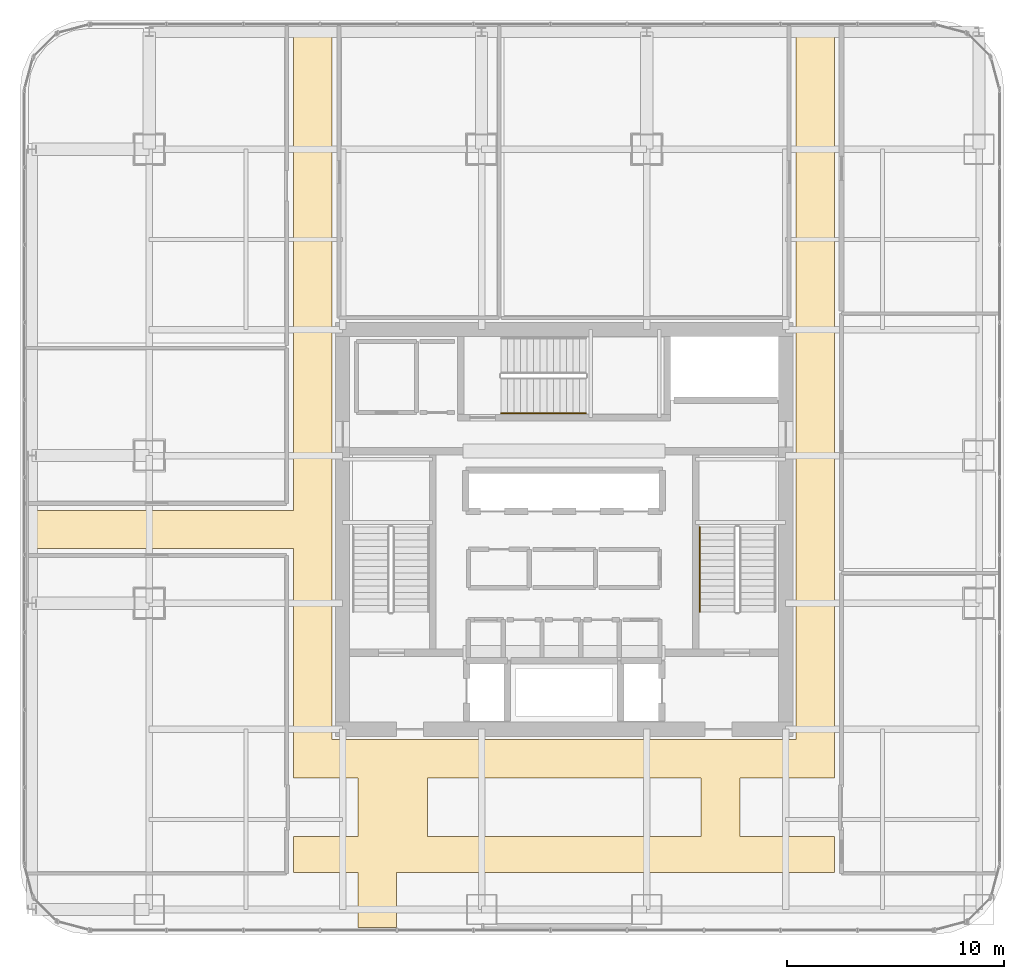
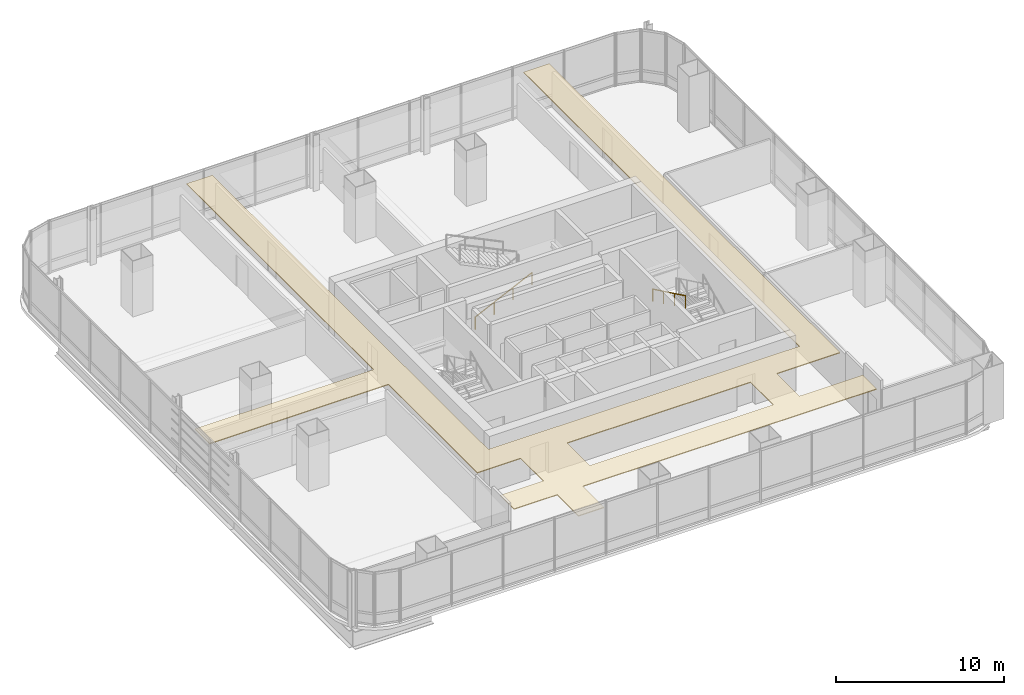
# One storey, part 36 of 38: 2 railings, 1 covering.
"""IFC4 building model written with IfcOpenShell, lengths in metres."""

from ifc_helpers import new_model, si_unit, direction, frame, origin, origin_2d, place, context, subcontext, project, spatial, polyline, circle, outline, extrude, material, layer, layer_set, type_object, element, save


model = new_model("IFC4")

# Units and contexts
model_context = context("Model", 3, precision=1e-05, world=origin(), true_north=direction((0.0, 1.0)))
body_context = subcontext(model_context, "Body", "Model", "MODEL_VIEW")
ifc_project = project(units=[si_unit("LENGTHUNIT", "METRE"), si_unit("AREAUNIT", "SQUARE_METRE"), si_unit("VOLUMEUNIT", "CUBIC_METRE"), si_unit("PLANEANGLEUNIT", "RADIAN"), si_unit("MASSUNIT", "GRAM", prefix="KILO")], contexts=[model_context])

# Site, building, storey
site_placement = place(None, origin())
site = spatial("IfcSite", under=ifc_project, at=site_placement, CompositionType="ELEMENT")
building_placement = place(site_placement, origin())
building = spatial("IfcBuilding", under=site, at=building_placement, Name="Punatoya Terracotta Tower", CompositionType="ELEMENT")
storey_placement = place(building_placement, frame((0.0, 0.0, 147.89990234375)))
storey = spatial("IfcBuildingStorey", under=building, at=storey_placement, Name="L34", CompositionType="ELEMENT", Elevation=147.89990234375)

# Covering
ifc_material_1 = material(Name="Acoustic Mineral Fibre Ceiling")
ifc_layer = layer(ifc_material_1, 0.06005859375)
ifc_layer_set = layer_set([ifc_layer], Name="Acoustic Mineral Fibre Ceiling")
covering_type = type_object("IfcCoveringType", Name="COV-CEIL-60", PredefinedType="CEILING", material=ifc_layer_set)
covering_placement = place(storey_placement, frame((0.0, 0.0, 3.22021484375)))
element("IfcCovering", 1, at=covering_placement, inside=storey, type_object=covering_type, Name="L34 Central Spine Circulation Corridor Acoustic Ceiling", PredefinedType="CEILING", context=body_context, shape_type="SweptSolid", body=[
    extrude(outline(polyline([(-7.719970703125, -15.800048828125), (12.449951171875, -15.800048828125), (12.449951171875, -14.14990234375), (8.10009765625, -14.14990234375), (8.10009765625, -11.449951171875), (12.449951171875, -11.449951171875), (12.449951171875, 23.1298828125), (10.679931640625, 23.1298828125), (10.679931640625, -9.679931640625), (-10.679931640625, -9.679931640625), (-10.679931640625, 23.1298828125), (-12.449951171875, 23.1298828125), (-12.449951171875, 0.8798828125), (-24.72998046875, 0.8798828125), (-24.72998046875, -0.8798828125), (-12.449951171875, -0.8798828125), (-12.449951171875, -11.449951171875), (-9.47998046875, -11.449951171875), (-9.47998046875, -14.14990234375), (-12.449951171875, -14.14990234375), (-12.449951171875, -15.800048828125), (-9.47998046875, -15.800048828125), (-9.47998046875, -18.330078125), (-7.719970703125, -18.330078125), (-7.719970703125, -15.800048828125)]), holes=[polyline([(6.300048828125, -14.14990234375), (-6.300048828125, -14.14990234375), (-6.300048828125, -11.449951171875), (6.300048828125, -11.449951171875), (6.300048828125, -14.14990234375)])]), origin(), (0.0, 0.0, 1.0), 0.059814453125),
])

# Railings
ifc_material_2 = material(Name="Steel S355", Category="steel")
railing_type = type_object("IfcRailingType", Name="RLG-HND-900", PredefinedType="HANDRAIL", material=ifc_material_2)
railing_1_placement = place(storey_placement, frame((6.25, 0.10009765625, 2.169677734375)))
element("IfcRailing", 2, at=railing_1_placement, inside=storey, type_object=railing_type, Name="L34 ST-2 stair handrail 2", PredefinedType="HANDRAIL", context=body_context, shape_type="SweptSolid", body=[
    extrude(circle(Radius=0.02392578125, at=origin_2d()), frame((0.0, 0.0, 0.8759765625), z_axis=(0.0, -0.900773802044, 0.434288564841), x_axis=(1.0, 0.0, 0.0)), (0.0, 0.0, 1.0), 4.329833984375),
    extrude(circle(Radius=0.02099609375, at=origin_2d()), origin(), (0.0, 0.0, 1.0), 0.851806640625),
    extrude(circle(Radius=0.02099609375, at=origin_2d()), frame((0.0, -1.300048828125, 0.626708984375)), (0.0, 0.0, 1.0), 0.851806640625),
    extrude(circle(Radius=0.02099609375, at=origin_2d()), frame((0.0, -2.60009765625, 1.253662109375)), (0.0, 0.0, 1.0), 0.851806640625),
    extrude(circle(Radius=0.02099609375, at=origin_2d()), frame((0.0, -3.900146484375, 1.88037109375)), (0.0, 0.0, 1.0), 0.851806640625),
])
railing_2_placement = place(storey_placement, frame((-2.89990234375, 5.35009765625, 0.144775390625)))
element("IfcRailing", 3, at=railing_2_placement, inside=storey, type_object=railing_type, Name="L34 ST-3 stair handrail 1", PredefinedType="HANDRAIL", context=body_context, shape_type="SweptSolid", body=[
    extrude(circle(Radius=0.02392578125, at=origin_2d()), frame((0.0, 0.0, 0.8759765625), z_axis=(0.900763166376, 0.0, 0.434310623978), x_axis=(0.0, 1.0, 0.0)), (0.0, 0.0, 1.0), 4.32958984375),
    extrude(circle(Radius=0.02099609375, at=origin_2d()), origin(), (0.0, 0.0, 1.0), 0.851806640625),
    extrude(circle(Radius=0.02099609375, at=origin_2d()), frame((1.300048828125, 0.0, 0.626708984375)), (0.0, 0.0, 1.0), 0.851806640625),
    extrude(circle(Radius=0.02099609375, at=origin_2d()), frame((2.599853515625, 0.0, 1.253662109375)), (0.0, 0.0, 1.0), 0.851806640625),
    extrude(circle(Radius=0.02099609375, at=origin_2d()), frame((3.89990234375, 0.0, 1.88037109375)), (0.0, 0.0, 1.0), 0.851806640625),
])

save(model, "model.ifc")
